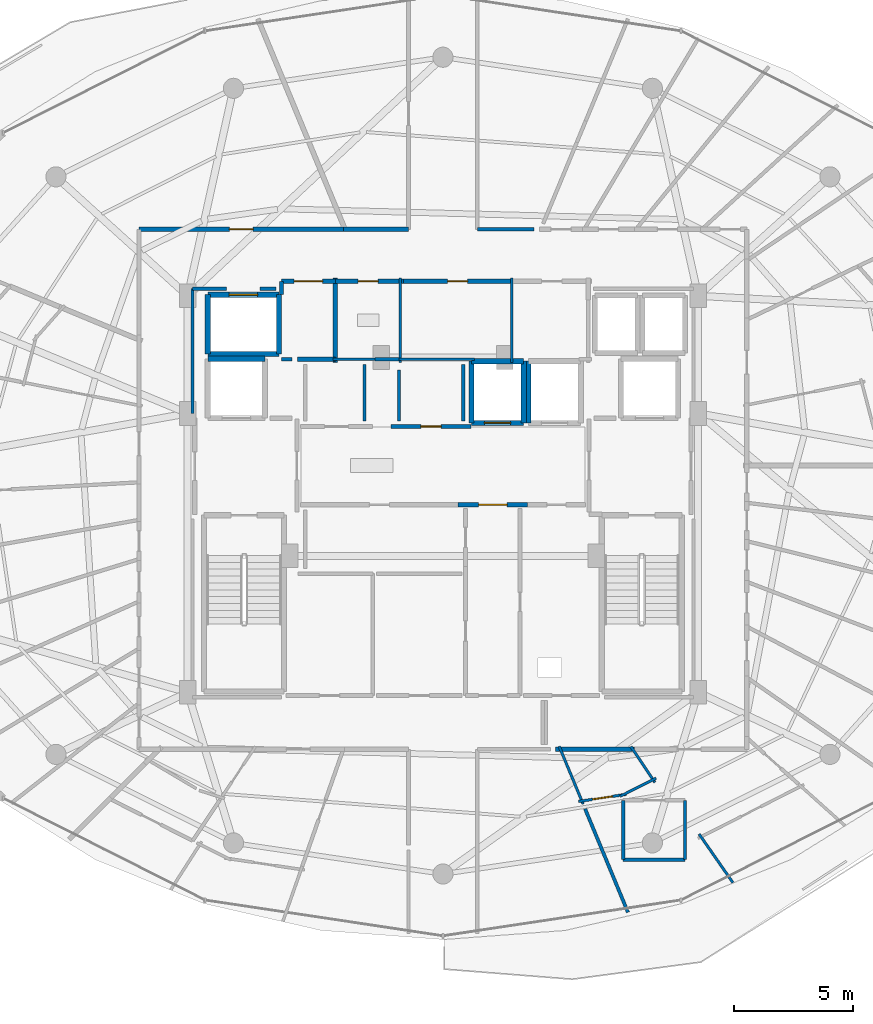
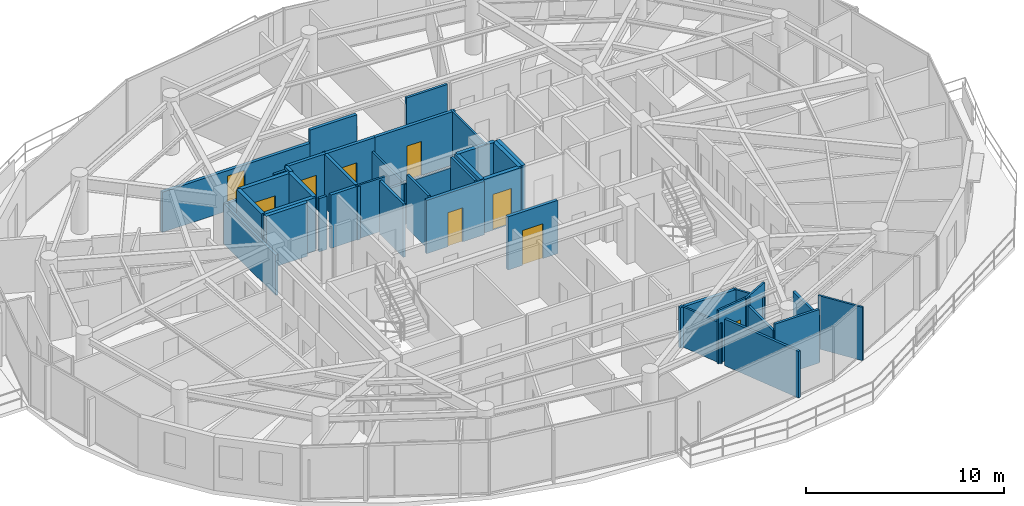
# One storey, part 22 of 29: 43 walls, 9 doors, 9 openings.
"""IFC4 building model written with IfcOpenShell, lengths in metres."""

from ifc_helpers import new_model, si_unit, direction, frame, frame_2d, origin, place, context, subcontext, project, spatial, rectangle, extrude, material, layer, layer_set, type_object, element, fill, save


model = new_model("IFC4")

# Units and contexts
model_context = context("Model", 3, precision=1e-05, world=origin(), true_north=direction((0.0, 1.0)))
body_context = subcontext(model_context, "Body", "Model", "MODEL_VIEW")
ifc_project = project(units=[si_unit("LENGTHUNIT", "METRE"), si_unit("AREAUNIT", "SQUARE_METRE"), si_unit("VOLUMEUNIT", "CUBIC_METRE"), si_unit("PLANEANGLEUNIT", "RADIAN"), si_unit("MASSUNIT", "GRAM", prefix="KILO")], contexts=[model_context])

# Site, building, storey
site_placement = place(None, origin())
site = spatial("IfcSite", under=ifc_project, at=site_placement, CompositionType="ELEMENT")
building_placement = place(site_placement, origin())
building = spatial("IfcBuilding", under=site, at=building_placement, Name="Vorneva Point Tower", CompositionType="ELEMENT")
storey_placement = place(building_placement, frame((0.0, 0.0, 259.10009765625)))
storey = spatial("IfcBuildingStorey", under=building, at=storey_placement, Name="L70", CompositionType="ELEMENT", Elevation=259.10009765625)

# Walls
ifc_material_1 = material(Name="Concrete B60 (C50/60)", Category="concrete")
ifc_layer_1 = layer(ifc_material_1, 0.35009765625)
ifc_layer_set_1 = layer_set([ifc_layer_1], Name="Concrete B60 (C50/60)")
wall_type_1 = type_object("IfcWallType", Name="WL-CORE-350", PredefinedType="SHEAR", material=ifc_layer_set_1)
wall_1_placement = place(storey_placement, frame((30.5, 30.5, 0.0), z_axis=(0.0, 0.0, 1.0), x_axis=(-1.0, 0.0, 0.0)))
element("IfcWall", 1, at=wall_1_placement, inside=storey, type_object=wall_type_1, Name="L70 Lift FFL1 Shaft Wall +Y", PredefinedType="SHEAR", context=body_context, shape_type="SweptSolid", body=[
    extrude(rectangle(XDim=2.39990234375, YDim=0.219970703125, at=frame_2d((1.199951171875, 0.0))), origin(), (0.0, 0.0, 1.0), 3.289794921875),
])
ifc_material_2 = material(Name="Fire-rated acoustic gypsum stud partition", Category="gypsum")
ifc_layer_2 = layer(ifc_material_2, 0.110107421875)
ifc_layer_set_2 = layer_set([ifc_layer_2], Name="Fire-rated acoustic gypsum stud partition")
wall_type_2 = type_object("IfcWallType", Name="WL-PART-110", PredefinedType="PARTITIONING", material=ifc_layer_set_2)
wall_2_placement = place(storey_placement, frame((36.199951171875, 30.340087890625, 0.0), z_axis=(0.0, 0.0, 1.0), x_axis=(0.0, 1.0, 0.0)))
element("IfcWall", 2, at=wall_2_placement, inside=storey, type_object=wall_type_2, Name="L70 Interior Partition 020", PredefinedType="PARTITIONING", context=body_context, shape_type="SweptSolid", body=[
    extrude(rectangle(XDim=3.559814453125, YDim=0.110107421875, at=frame_2d((1.77978515625, 0.0))), origin(), (0.0, 0.0, 1.0), 2.48193359375),
])
wall_3_placement = place(storey_placement, frame((33.360107421875, 30.47998046875, 0.0), z_axis=(0.0, 0.0, 1.0), x_axis=(1.0, 0.0, 0.0)))
element("IfcWall", 3, at=wall_3_placement, inside=storey, type_object=wall_type_2, Name="L70 Interior Partition 021", PredefinedType="PARTITIONING", context=body_context, shape_type="SweptSolid", body=[
    extrude(rectangle(XDim=1.809814453125, YDim=0.110107421875, at=frame_2d((0.90478515625, 0.0))), origin(), (0.0, 0.0, 1.0), 3.289794921875),
])
wall_4_placement = place(storey_placement, frame((40.89990234375, 30.340087890625, 0.0), z_axis=(0.0, 0.0, 1.0), x_axis=(0.0, 1.0, 0.0)))
element("IfcWall", 4, at=wall_4_placement, inside=storey, type_object=wall_type_2, Name="L70 Interior Partition 023", PredefinedType="PARTITIONING", context=body_context, shape_type="SweptSolid", body=[
    extrude(rectangle(XDim=3.559814453125, YDim=0.110107421875, at=frame_2d((1.77978515625, 0.0))), origin(), (0.0, 0.0, 1.0), 3.289794921875),
])
wall_5_placement = place(storey_placement, frame((36.110107421875, 30.47998046875, 0.0), z_axis=(0.0, 0.0, 1.0), x_axis=(1.0, 0.0, 0.0)))
element("IfcWall", 5, at=wall_5_placement, inside=storey, type_object=wall_type_2, Name="L70 Interior Partition 024", PredefinedType="PARTITIONING", context=body_context, shape_type="SweptSolid", body=[
    extrude(rectangle(XDim=3.2099609375, YDim=0.110107421875, at=frame_2d((1.60498046875, 0.0))), origin(), (0.0, 0.0, 1.0), 2.48193359375),
])
wall_6_placement = place(storey_placement, frame((45.918212890625, 14.16650390625, 0.0), z_axis=(0.0, 0.0, 1.0), x_axis=(0.555785343288, -0.831325839961, 0.0)))
element("IfcWall", 6, at=wall_6_placement, inside=storey, type_object=wall_type_2, Name="L70 Interior Partition 105", PredefinedType="PARTITIONING", context=body_context, shape_type="SweptSolid", body=[
    extrude(rectangle(XDim=1.81640625, YDim=0.110107421875, at=frame_2d((0.908203125, 0.0))), origin(), (0.0, 0.0, 1.0), 2.48193359375),
])
wall_7_placement = place(storey_placement, frame((46.97509765625, 12.836181640625, 0.0), z_axis=(0.0, 0.0, 1.0), x_axis=(-0.892715322691, -0.450621074332, 0.0)))
element("IfcWall", 7, at=wall_7_placement, inside=storey, type_object=wall_type_2, Name="L70 Interior Partition 106", PredefinedType="PARTITIONING", context=body_context, shape_type="SweptSolid", body=[
    extrude(rectangle(XDim=1.689208984375, YDim=0.110107421875, at=frame_2d((0.8447265625, 0.0))), origin(), (0.0, 0.0, 1.0), 3.289794921875),
])

# Wall, opening, door
wall_8_placement = place(storey_placement, frame((45.73046875, 12.15869140625, 0.0), z_axis=(0.0, 0.0, 1.0), x_axis=(-0.98887923552, -0.148720736812, 0.0)))
wall_8 = element("IfcWall", 8, at=wall_8_placement, inside=storey, type_object=wall_type_2, Name="L70 Interior Partition 107", PredefinedType="PARTITIONING", context=body_context, shape_type="SweptSolid", body=[
    extrude(rectangle(XDim=2.04052734375, YDim=0.110107421875, at=frame_2d((1.020263671875, 0.0))), origin(), (0.0, 0.0, 1.0), 3.289794921875),
])
opening_1_placement = place(wall_8_placement, frame((0.59521484375, 0.0, 0.0)))
opening_1 = element("IfcOpeningElement", 9, at=opening_1_placement, cuts=wall_8, Name="Opening ID-02", PredefinedType="OPENING", context=body_context, shape_type="SweptSolid", body=[
    extrude(rectangle(XDim=0.85009765625, YDim=2.10009765625, at=frame_2d((0.425048828125, 1.050048828125))), frame((0.0, 0.06982421875, 0.0), z_axis=(0.0, -1.0, 0.0), x_axis=(1.0, 0.0, 0.0)), (0.0, 0.0, 1.0), 0.139892578125),
])
ifc_material_3 = material(Name="Engineered oak fire-rated door leaf", Category="wood")
door_type_1 = type_object("IfcDoorType", Name="DR-BATH-850", OperationType="NOTDEFINED", PredefinedType="DOOR", material=ifc_material_3)
door_1_placement = place(opening_1_placement, origin())
door_1 = element("IfcDoor", 10, at=door_1_placement, inside=storey, type_object=door_type_1, Name="L70 Door Living and Dining Room L70-03 / Bathroom L70-03", OperationType="SINGLE_SWING_LEFT", OverallHeight=2.10009765625, OverallWidth=0.85009765625, PredefinedType="DOOR", context=body_context, shape_type="SweptSolid", body=[
    extrude(rectangle(XDim=0.85009765625, YDim=2.10009765625, at=frame_2d((0.425048828125, 1.050048828125))), frame((0.0, 0.02490234375, 0.0), z_axis=(0.0, -1.0, 0.0), x_axis=(1.0, 0.0, 0.0)), (0.0, 0.0, 1.0), 0.050048828125),
])
fill(opening_1, door_1)

# Walls
wall_9_placement = place(storey_placement, frame((43.904541015625, 11.74658203125, 0.0), z_axis=(0.0, 0.0, 1.0), x_axis=(-0.38282398209, 0.923821302383, 0.0)))
element("IfcWall", 11, at=wall_9_placement, inside=storey, type_object=wall_type_2, Name="L70 Interior Partition 108", PredefinedType="PARTITIONING", context=body_context, shape_type="SweptSolid", body=[
    extrude(rectangle(XDim=2.63330078125, YDim=0.110107421875, at=frame_2d((1.316650390625, 0.0))), origin(), (0.0, 0.0, 1.0), 2.48193359375),
])
wall_10_placement = place(storey_placement, frame((50.212890625, 8.43603515625, 0.0), z_axis=(0.0, 0.0, 1.0), x_axis=(-0.571041537148, 0.820921167258, 0.0)))
element("IfcWall", 12, at=wall_10_placement, inside=storey, type_object=wall_type_2, Name="L70 Interior Partition 111", PredefinedType="PARTITIONING", context=body_context, shape_type="SweptSolid", body=[
    extrude(rectangle(XDim=2.493408203125, YDim=0.110107421875, at=frame_2d((1.24658203125, 0.0))), origin(), (0.0, 0.0, 1.0), 3.289794921875),
])
ifc_layer_3 = layer(ifc_material_2, 0.139892578125)
ifc_layer_set_3 = layer_set([ifc_layer_3], Name="Fire-rated acoustic gypsum stud partition")
wall_type_3 = type_object("IfcWallType", Name="WL-PART-140", PredefinedType="PARTITIONING", material=ifc_layer_set_3)
wall_11_placement = place(storey_placement, frame((45.593994140625, 11.902099609375, 0.0), z_axis=(0.0, 0.0, 1.0), x_axis=(0.0, -1.0, 0.0)))
element("IfcWall", 13, at=wall_11_placement, inside=storey, type_object=wall_type_3, Name="L70 Interior Partition 113", PredefinedType="PARTITIONING", context=body_context, shape_type="SweptSolid", body=[
    extrude(rectangle(XDim=2.5, YDim=0.139892578125, at=frame_2d((1.25, 0.0))), origin(), (0.0, 0.0, 1.0), 2.8740234375),
])
wall_12_placement = place(storey_placement, frame((45.593994140625, 9.402099609375, 0.0), z_axis=(0.0, 0.0, 1.0), x_axis=(1.0, 0.0, 0.0)))
element("IfcWall", 14, at=wall_12_placement, inside=storey, type_object=wall_type_3, Name="L70 Interior Partition 114", PredefinedType="PARTITIONING", context=body_context, shape_type="SweptSolid", body=[
    extrude(rectangle(XDim=2.60009765625, YDim=0.139892578125, at=frame_2d((1.300048828125, 0.0))), origin(), (0.0, 0.0, 1.0), 3.289794921875),
])
wall_13_placement = place(storey_placement, frame((48.194091796875, 9.402099609375, 0.0), z_axis=(0.0, 0.0, 1.0), x_axis=(0.0, 1.0, 0.0)))
element("IfcWall", 15, at=wall_13_placement, inside=storey, type_object=wall_type_3, Name="L70 Interior Partition 115", PredefinedType="PARTITIONING", context=body_context, shape_type="SweptSolid", body=[
    extrude(rectangle(XDim=2.5, YDim=0.139892578125, at=frame_2d((1.25, 0.0))), origin(), (0.0, 0.0, 1.0), 2.8740234375),
])
wall_14_placement = place(storey_placement, frame((31.199951171875, 30.47998046875, 0.0), z_axis=(0.0, 0.0, 1.0), x_axis=(1.0, 0.0, 0.0)))
element("IfcWall", 16, at=wall_14_placement, inside=storey, type_object=wall_type_3, Name="L70 Interior Closure Partition 143", PredefinedType="PARTITIONING", context=body_context, shape_type="SweptSolid", body=[
    extrude(rectangle(XDim=0.449951171875, YDim=0.139892578125, at=frame_2d((0.22509765625, 0.0))), origin(), (0.0, 0.0, 1.0), 3.289794921875),
])
wall_15_placement = place(storey_placement, frame((35.139892578125, 30.47998046875, 0.0), z_axis=(0.0, 0.0, 1.0), x_axis=(1.0, 0.0, 0.0)))
element("IfcWall", 17, at=wall_15_placement, inside=storey, type_object=wall_type_3, Name="L70 Interior Closure Partition 144", PredefinedType="PARTITIONING", context=body_context, shape_type="SweptSolid", body=[
    extrude(rectangle(XDim=1.0, YDim=0.139892578125, at=frame_2d((0.5, 0.0))), origin(), (0.0, 0.0, 1.0), 2.48193359375),
])
wall_16_placement = place(storey_placement, frame((34.699951171875, 27.8701171875, 0.0), z_axis=(0.0, 0.0, 1.0), x_axis=(0.0, 1.0, 0.0)))
element("IfcWall", 18, at=wall_16_placement, inside=storey, type_object=wall_type_3, Name="L70 Interior Closure Partition 148", PredefinedType="PARTITIONING", context=body_context, shape_type="SweptSolid", body=[
    extrude(rectangle(XDim=2.389892578125, YDim=0.139892578125, at=frame_2d((1.19482421875, 0.0))), origin(), (0.0, 0.0, 1.0), 3.289794921875),
])
wall_17_placement = place(storey_placement, frame((36.14990234375, 30.030029296875, 0.0), z_axis=(0.0, 0.0, 1.0), x_axis=(0.0, -1.0, 0.0)))
element("IfcWall", 19, at=wall_17_placement, inside=storey, type_object=wall_type_3, Name="L70 Interior Closure Partition 149", PredefinedType="PARTITIONING", context=body_context, shape_type="SweptSolid", body=[
    extrude(rectangle(XDim=2.159912109375, YDim=0.139892578125, at=frame_2d((1.080078125, 0.0))), origin(), (0.0, 0.0, 1.0), 3.289794921875),
])
wall_18_placement = place(storey_placement, frame((38.85009765625, 27.8701171875, 0.0), z_axis=(0.0, 0.0, 1.0), x_axis=(0.0, 1.0, 0.0)))
element("IfcWall", 20, at=wall_18_placement, inside=storey, type_object=wall_type_3, Name="L70 Interior Closure Partition 150", PredefinedType="PARTITIONING", context=body_context, shape_type="SweptSolid", body=[
    extrude(rectangle(XDim=2.389892578125, YDim=0.139892578125, at=frame_2d((1.19482421875, 0.0))), origin(), (0.0, 0.0, 1.0), 3.289794921875),
])
wall_19_placement = place(storey_placement, frame((41.841064453125, 35.949951171875, 0.0), z_axis=(0.0, 0.0, 1.0), x_axis=(-1.0, 0.0, 0.0)))
element("IfcWall", 21, at=wall_19_placement, inside=storey, type_object=wall_type_3, Name="L70 Interior Closure Partition 155", PredefinedType="PARTITIONING", context=body_context, shape_type="SweptSolid", body=[
    extrude(rectangle(XDim=2.39111328125, YDim=0.139892578125, at=frame_2d((1.195556640625, 0.0))), origin(), (0.0, 0.0, 1.0), 3.289794921875),
])
wall_20_placement = place(storey_placement, frame((30.97998046875, 33.449951171875, 0.0), z_axis=(0.0, 0.0, 1.0), x_axis=(-1.0, 0.0, 0.0)))
element("IfcWall", 22, at=wall_20_placement, inside=storey, type_object=wall_type_3, Name="L70 Interior Closure Partition 162", PredefinedType="PARTITIONING", context=body_context, shape_type="SweptSolid", body=[
    extrude(rectangle(XDim=0.674072265625, YDim=0.139892578125, at=frame_2d((0.3369140625, 0.0))), origin(), (0.0, 0.0, 1.0), 3.289794921875),
])
wall_21_placement = place(storey_placement, frame((28.89404296875, 33.449951171875, 0.0), z_axis=(0.0, 0.0, 1.0), x_axis=(-1.0, 0.0, 0.0)))
element("IfcWall", 23, at=wall_21_placement, inside=storey, type_object=wall_type_3, Name="L70 Interior Closure Partition 163", PredefinedType="PARTITIONING", context=body_context, shape_type="SweptSolid", body=[
    extrude(rectangle(XDim=1.444091796875, YDim=0.139892578125, at=frame_2d((0.72216796875, 0.0))), origin(), (0.0, 0.0, 1.0), 2.48193359375),
])
wall_22_placement = place(storey_placement, frame((27.449951171875, 33.449951171875, 0.0), z_axis=(0.0, 0.0, 1.0), x_axis=(0.0, -1.0, 0.0)))
element("IfcWall", 24, at=wall_22_placement, inside=storey, type_object=wall_type_3, Name="L70 Interior Closure Partition 164", PredefinedType="PARTITIONING", context=body_context, shape_type="SweptSolid", body=[
    extrude(rectangle(XDim=5.25390625, YDim=0.139892578125, at=frame_2d((2.626953125, 0.0))), origin(), (0.0, 0.0, 1.0), 2.48193359375),
])
wall_23_placement = place(storey_placement, frame((43.988037109375, 11.54296875, 0.0), z_axis=(0.0, 0.0, 1.0), x_axis=(0.382798409849, -0.923831898895, 0.0)))
element("IfcWall", 25, at=wall_23_placement, inside=storey, type_object=wall_type_3, Name="L70 Interior Closure Partition 168", PredefinedType="PARTITIONING", context=body_context, shape_type="SweptSolid", body=[
    extrude(rectangle(XDim=4.715087890625, YDim=0.139892578125, at=frame_2d((2.357421875, 0.0))), origin(), (0.0, 0.0, 1.0), 2.8740234375),
])
ifc_material_4 = material(Name="Autoclaved aerated concrete blockwork", Category="masonry")
ifc_layer_4 = layer(ifc_material_4, 0.179931640625)
ifc_layer_set_4 = layer_set([ifc_layer_4], Name="Autoclaved aerated concrete blockwork")
wall_type_4 = type_object("IfcWallType", Name="WL-PART-180", PredefinedType="PARTITIONING", material=ifc_layer_set_4)
wall_24_placement = place(storey_placement, frame((33.469970703125, 30.340087890625, 0.0), z_axis=(0.0, 0.0, 1.0), x_axis=(0.0, 1.0, 0.0)))
element("IfcWall", 26, at=wall_24_placement, inside=storey, type_object=wall_type_4, Name="L70 Interior Partition 006", PredefinedType="PARTITIONING", context=body_context, shape_type="SweptSolid", body=[
    extrude(rectangle(XDim=3.559814453125, YDim=0.179931640625, at=frame_2d((1.77978515625, 0.0))), origin(), (0.0, 0.0, 1.0), 3.289794921875),
])
wall_25_placement = place(storey_placement, frame((31.8701171875, 30.47998046875, 0.0), z_axis=(0.0, 0.0, 1.0), x_axis=(1.0, 0.0, 0.0)))
element("IfcWall", 27, at=wall_25_placement, inside=storey, type_object=wall_type_4, Name="L70 Interior Partition 007", PredefinedType="PARTITIONING", context=body_context, shape_type="SweptSolid", body=[
    extrude(rectangle(XDim=1.599853515625, YDim=0.179931640625, at=frame_2d((0.7998046875, 0.0))), origin(), (0.0, 0.0, 1.0), 3.289794921875),
])

# Wall, opening, door
wall_26_placement = place(storey_placement, frame((33.469970703125, 33.760009765625, 0.0), z_axis=(0.0, 0.0, 1.0), x_axis=(-1.0, 0.0, 0.0)))
wall_26 = element("IfcWall", 28, at=wall_26_placement, inside=storey, type_object=wall_type_4, Name="L70 Interior Partition 008", PredefinedType="PARTITIONING", context=body_context, shape_type="SweptSolid", body=[
    extrude(rectangle(XDim=2.27001953125, YDim=0.179931640625, at=frame_2d((1.135009765625, 0.0))), origin(), (0.0, 0.0, 1.0), 3.289794921875),
])
opening_2_placement = place(wall_26_placement, frame((0.534912109375, 0.0, 0.0)))
opening_2 = element("IfcOpeningElement", 29, at=opening_2_placement, cuts=wall_26, Name="Opening FD-02", PredefinedType="OPENING", context=body_context, shape_type="SweptSolid", body=[
    extrude(rectangle(XDim=1.199951171875, YDim=2.14990234375, at=frame_2d((0.60009765625, 1.074951171875))), frame((0.0, 0.10498046875, 0.0), z_axis=(0.0, -1.0, 0.0), x_axis=(1.0, 0.0, 0.0)), (0.0, 0.0, 1.0), 0.209716796875),
])
ifc_material_5 = material(Name="Fire-rated powder-coated steel", Category="steel")
door_type_2 = type_object("IfcDoorType", Name="DR-FFL-1200", OperationType="NOTDEFINED", PredefinedType="DOOR", material=ifc_material_5)
door_2_placement = place(opening_2_placement, origin())
door_2 = element("IfcDoor", 30, at=door_2_placement, inside=storey, type_object=door_type_2, Name="L70 Door Service Lift Lobby / L70 Circulation Corridor", OperationType="SINGLE_SWING_LEFT", OverallHeight=2.14990234375, OverallWidth=1.199951171875, PredefinedType="DOOR", context=body_context, shape_type="SweptSolid", body=[
    extrude(rectangle(XDim=1.199951171875, YDim=2.14990234375, at=frame_2d((0.60009765625, 1.074951171875))), frame((0.0, 0.02490234375, 0.0), z_axis=(0.0, -1.0, 0.0), x_axis=(1.0, 0.0, 0.0)), (0.0, 0.0, 1.0), 0.050048828125),
])
fill(opening_2, door_2)

# Wall
wall_27_placement = place(storey_placement, frame((31.199951171875, 33.760009765625, 0.0), z_axis=(0.0, 0.0, 1.0), x_axis=(0.0, -1.0, 0.0)))
element("IfcWall", 31, at=wall_27_placement, inside=storey, type_object=wall_type_4, Name="L70 Interior Partition 009", PredefinedType="PARTITIONING", context=body_context, shape_type="SweptSolid", body=[
    extrude(rectangle(XDim=0.56005859375, YDim=0.179931640625, at=frame_2d((0.280029296875, 0.0))), origin(), (0.0, 0.0, 1.0), 3.289794921875),
])

# Wall, opening, door
wall_28_placement = place(storey_placement, frame((38.64501953125, 24.35009765625, 0.0), z_axis=(0.0, 0.0, 1.0), x_axis=(1.0, 0.0, 0.0)))
wall_28 = element("IfcWall", 32, at=wall_28_placement, inside=storey, type_object=wall_type_4, Name="L70 Interior Partition 010", PredefinedType="PARTITIONING", context=body_context, shape_type="SweptSolid", body=[
    extrude(rectangle(XDim=2.909912109375, YDim=0.179931640625, at=frame_2d((1.455078125, 0.0))), origin(), (0.0, 0.0, 1.0), 3.289794921875),
])
opening_3_placement = place(wall_28_placement, frame((0.85498046875, 0.0, 0.0)))
opening_3 = element("IfcOpeningElement", 33, at=opening_3_placement, cuts=wall_28, Name="Opening FD-02", PredefinedType="OPENING", context=body_context, shape_type="SweptSolid", body=[
    extrude(rectangle(XDim=1.199951171875, YDim=2.14990234375, at=frame_2d((0.60009765625, 1.074951171875))), frame((0.0, 0.10498046875, 0.0), z_axis=(0.0, -1.0, 0.0), x_axis=(1.0, 0.0, 0.0)), (0.0, 0.0, 1.0), 0.209716796875),
])
door_3_placement = place(opening_3_placement, origin())
door_3 = element("IfcDoor", 34, at=door_3_placement, inside=storey, type_object=door_type_2, Name="L70 Door Central Lift Lobby / Core Service Lobby", OperationType="SINGLE_SWING_RIGHT", OverallHeight=2.14990234375, OverallWidth=1.199951171875, PredefinedType="DOOR", context=body_context, shape_type="SweptSolid", body=[
    extrude(rectangle(XDim=1.199951171875, YDim=2.14990234375, at=frame_2d((0.60009765625, 1.074951171875))), frame((0.0, 0.02490234375, 0.0), z_axis=(0.0, -1.0, 0.0), x_axis=(1.0, 0.0, 0.0)), (0.0, 0.0, 1.0), 0.050048828125),
])
fill(opening_3, door_3)

wall_29_placement = place(storey_placement, frame((39.18994140625, 27.64990234375, 0.0), z_axis=(0.0, 0.0, 1.0), x_axis=(-1.0, 0.0, 0.0)))
wall_29 = element("IfcWall", 35, at=wall_29_placement, inside=storey, type_object=wall_type_4, Name="L70 Interior Partition 013", PredefinedType="PARTITIONING", context=body_context, shape_type="SweptSolid", body=[
    extrude(rectangle(XDim=3.3798828125, YDim=0.179931640625, at=frame_2d((1.68994140625, 0.0))), origin(), (0.0, 0.0, 1.0), 3.289794921875),
])
opening_4_placement = place(wall_29_placement, frame((1.264892578125, 0.0, 0.0)))
opening_4 = element("IfcOpeningElement", 36, at=opening_4_placement, cuts=wall_29, Name="Opening ID-02", PredefinedType="OPENING", context=body_context, shape_type="SweptSolid", body=[
    extrude(rectangle(XDim=0.85009765625, YDim=2.10009765625, at=frame_2d((0.425048828125, 1.050048828125))), frame((0.0, 0.10498046875, 0.0), z_axis=(0.0, -1.0, 0.0), x_axis=(1.0, 0.0, 0.0)), (0.0, 0.0, 1.0), 0.209716796875),
])
door_4_placement = place(opening_4_placement, origin())
door_4 = element("IfcDoor", 37, at=door_4_placement, inside=storey, type_object=door_type_1, Name="L70 Door Central Lift Lobby / Reclaimed Core Archive Store", OperationType="SINGLE_SWING_LEFT", OverallHeight=2.10009765625, OverallWidth=0.85009765625, PredefinedType="DOOR", context=body_context, shape_type="SweptSolid", body=[
    extrude(rectangle(XDim=0.85009765625, YDim=2.10009765625, at=frame_2d((0.425048828125, 1.050048828125))), frame((0.0, 0.02490234375, 0.0), z_axis=(0.0, -1.0, 0.0), x_axis=(1.0, 0.0, 0.0)), (0.0, 0.0, 1.0), 0.050048828125),
])
fill(opening_4, door_4)

wall_30_placement = place(storey_placement, frame((36.340087890625, 33.760009765625, 0.0), z_axis=(0.0, 0.0, 1.0), x_axis=(-1.0, 0.0, 0.0)))
wall_30 = element("IfcWall", 38, at=wall_30_placement, inside=storey, type_object=wall_type_4, Name="L70 Interior Partition 022", PredefinedType="PARTITIONING", context=body_context, shape_type="SweptSolid", body=[
    extrude(rectangle(XDim=2.97998046875, YDim=0.179931640625, at=frame_2d((1.489990234375, 0.0))), origin(), (0.0, 0.0, 1.0), 3.289794921875),
])
opening_5_placement = place(wall_30_placement, frame((1.06494140625, 0.0, 0.0)))
opening_5 = element("IfcOpeningElement", 39, at=opening_5_placement, cuts=wall_30, Name="Opening ID-02", PredefinedType="OPENING", context=body_context, shape_type="SweptSolid", body=[
    extrude(rectangle(XDim=0.85009765625, YDim=2.10009765625, at=frame_2d((0.425048828125, 1.050048828125))), frame((0.0, 0.10498046875, 0.0), z_axis=(0.0, -1.0, 0.0), x_axis=(1.0, 0.0, 0.0)), (0.0, 0.0, 1.0), 0.209716796875),
])
door_5_placement = place(opening_5_placement, origin())
door_5 = element("IfcDoor", 40, at=door_5_placement, inside=storey, type_object=door_type_1, Name="L70 Door Public Male WC / L70 Circulation Corridor", OperationType="SINGLE_SWING_RIGHT", OverallHeight=2.10009765625, OverallWidth=0.85009765625, PredefinedType="DOOR", context=body_context, shape_type="SweptSolid", body=[
    extrude(rectangle(XDim=0.85009765625, YDim=2.10009765625, at=frame_2d((0.425048828125, 1.050048828125))), frame((0.0, 0.02490234375, 0.0), z_axis=(0.0, -1.0, 0.0), x_axis=(1.0, 0.0, 0.0)), (0.0, 0.0, 1.0), 0.050048828125),
])
fill(opening_5, door_5)

wall_31_placement = place(storey_placement, frame((41.0400390625, 33.760009765625, 0.0), z_axis=(0.0, 0.0, 1.0), x_axis=(-1.0, 0.0, 0.0)))
wall_31 = element("IfcWall", 41, at=wall_31_placement, inside=storey, type_object=wall_type_4, Name="L70 Interior Partition 025", PredefinedType="PARTITIONING", context=body_context, shape_type="SweptSolid", body=[
    extrude(rectangle(XDim=4.840087890625, YDim=0.179931640625, at=frame_2d((2.419921875, 0.0))), origin(), (0.0, 0.0, 1.0), 3.289794921875),
])
opening_6_placement = place(wall_31_placement, frame((1.9951171875, 0.0, 0.0)))
opening_6 = element("IfcOpeningElement", 42, at=opening_6_placement, cuts=wall_31, Name="Opening ID-02", PredefinedType="OPENING", context=body_context, shape_type="SweptSolid", body=[
    extrude(rectangle(XDim=0.85009765625, YDim=2.10009765625, at=frame_2d((0.425048828125, 1.050048828125))), frame((0.0, 0.10498046875, 0.0), z_axis=(0.0, -1.0, 0.0), x_axis=(1.0, 0.0, 0.0)), (0.0, 0.0, 1.0), 0.209716796875),
])
door_6_placement = place(opening_6_placement, origin())
door_6 = element("IfcDoor", 43, at=door_6_placement, inside=storey, type_object=door_type_1, Name="L70 Door Public Female WC / L70 Circulation Corridor", OperationType="SINGLE_SWING_LEFT", OverallHeight=2.10009765625, OverallWidth=0.85009765625, PredefinedType="DOOR", context=body_context, shape_type="SweptSolid", body=[
    extrude(rectangle(XDim=0.85009765625, YDim=2.10009765625, at=frame_2d((0.425048828125, 1.050048828125))), frame((0.0, 0.02490234375, 0.0), z_axis=(0.0, -1.0, 0.0), x_axis=(1.0, 0.0, 0.0)), (0.0, 0.0, 1.0), 0.050048828125),
])
fill(opening_6, door_6)

# Walls
wall_32_placement = place(storey_placement, frame((42.75, 14.050048828125, 0.0), z_axis=(0.0, 0.0, 1.0), x_axis=(1.0, 0.0, 0.0)))
element("IfcWall", 44, at=wall_32_placement, inside=storey, type_object=wall_type_4, Name="L70 Interior Partition 048", PredefinedType="PARTITIONING", context=body_context, shape_type="SweptSolid", body=[
    extrude(rectangle(XDim=3.325927734375, YDim=0.179931640625, at=frame_2d((1.6630859375, 0.0))), origin(), (0.0, 0.0, 1.0), 2.48193359375),
])
wall_33_placement = place(storey_placement, frame((36.550048828125, 35.949951171875, 0.0), z_axis=(0.0, 0.0, 1.0), x_axis=(-1.0, 0.0, 0.0)))
element("IfcWall", 45, at=wall_33_placement, inside=storey, type_object=wall_type_4, Name="L70 Interior Partition 065", PredefinedType="PARTITIONING", context=body_context, shape_type="SweptSolid", body=[
    extrude(rectangle(XDim=2.736083984375, YDim=0.179931640625, at=frame_2d((1.3681640625, 0.0))), origin(), (0.0, 0.0, 1.0), 3.289794921875),
])

# Wall, opening, door
wall_34_placement = place(storey_placement, frame((33.81396484375, 35.949951171875, 0.0), z_axis=(0.0, 0.0, 1.0), x_axis=(-1.0, 0.0, 0.0)))
wall_34 = element("IfcWall", 46, at=wall_34_placement, inside=storey, type_object=wall_type_4, Name="L70 Interior Partition 066", PredefinedType="PARTITIONING", context=body_context, shape_type="SweptSolid", body=[
    extrude(rectangle(XDim=8.614013671875, YDim=0.179931640625, at=frame_2d((4.30712890625, 0.0))), origin(), (0.0, 0.0, 1.0), 2.48193359375),
])
opening_7_placement = place(wall_34_placement, frame((3.806884765625, 0.0, 0.0)))
opening_7 = element("IfcOpeningElement", 47, at=opening_7_placement, cuts=wall_34, Name="Opening UD-01", PredefinedType="OPENING", context=body_context, shape_type="SweptSolid", body=[
    extrude(rectangle(XDim=1.0, YDim=2.14990234375, at=frame_2d((0.5, 1.074951171875))), frame((0.0, 0.10498046875, 0.0), z_axis=(0.0, -1.0, 0.0), x_axis=(1.0, 0.0, 0.0)), (0.0, 0.0, 1.0), 0.209716796875),
])
door_type_3 = type_object("IfcDoorType", Name="DR-UNIT-1000", OperationType="NOTDEFINED", PredefinedType="DOOR", material=ifc_material_3)
door_7_placement = place(opening_7_placement, origin())
door_7 = element("IfcDoor", 48, at=door_7_placement, inside=storey, type_object=door_type_3, Name="L70 Door L70 Circulation Corridor / Residents Co-Working Office L70-06", OperationType="SINGLE_SWING_RIGHT", OverallHeight=2.14990234375, OverallWidth=1.0, PredefinedType="DOOR", context=body_context, shape_type="SweptSolid", body=[
    extrude(rectangle(XDim=1.0, YDim=2.14990234375, at=frame_2d((0.5, 1.074951171875))), frame((0.0, 0.02490234375, 0.0), z_axis=(0.0, -1.0, 0.0), x_axis=(1.0, 0.0, 0.0)), (0.0, 0.0, 1.0), 0.050048828125),
])
fill(opening_7, door_7)

ifc_material_6 = material(Name="Concrete B50 (C40/50)", Category="concrete")
ifc_layer_5 = layer(ifc_material_6, 0.219970703125)
ifc_layer_set_5 = layer_set([ifc_layer_5], Name="Concrete B50 (C40/50)")
wall_type_5 = type_object("IfcWallType", Name="WL-SHFT-220", PredefinedType="SOLIDWALL", material=ifc_layer_set_5)
wall_35_placement = place(storey_placement, frame((39.199951171875, 27.800048828125, 0.0), z_axis=(0.0, 0.0, 1.0), x_axis=(1.0, 0.0, 0.0)))
wall_35 = element("IfcWall", 49, at=wall_35_placement, inside=storey, type_object=wall_type_5, Name="L70 Lift PL7 Shaft Wall -Y", PredefinedType="SOLIDWALL", context=body_context, shape_type="SweptSolid", body=[
    extrude(rectangle(XDim=2.199951171875, YDim=0.219970703125, at=frame_2d((1.10009765625, 0.0))), origin(), (0.0, 0.0, 1.0), 3.289794921875),
])
opening_8_placement = place(wall_35_placement, frame((0.550048828125, 0.0, 0.0)))
opening_8 = element("IfcOpeningElement", 50, at=opening_8_placement, cuts=wall_35, Name="Opening LD-01", PredefinedType="OPENING", context=body_context, shape_type="SweptSolid", body=[
    extrude(rectangle(XDim=1.10009765625, YDim=2.199951171875, at=frame_2d((0.550048828125, 1.10009765625))), frame((0.0, 0.125, 0.0), z_axis=(0.0, -1.0, 0.0), x_axis=(1.0, 0.0, 0.0)), (0.0, 0.0, 1.0), 0.249755859375),
])
ifc_material_7 = material(Name="Brushed stainless steel S304", Category="steel")
door_type_4 = type_object("IfcDoorType", Name="LD-PASS-1100", OperationType="SLIDING_TO_LEFT", PredefinedType="DOOR", material=ifc_material_7)
door_8_placement = place(opening_8_placement, origin())
door_8 = element("IfcDoor", 51, at=door_8_placement, inside=storey, type_object=door_type_4, Name="L70 Lift PL7 Sliding Landing Door", OperationType="SLIDING_TO_LEFT", OverallHeight=2.199951171875, OverallWidth=1.10009765625, PredefinedType="DOOR", context=body_context, shape_type="SweptSolid", body=[
    extrude(rectangle(XDim=1.10009765625, YDim=2.199951171875, at=frame_2d((0.550048828125, 1.10009765625))), frame((0.0, 0.02490234375, 0.0), z_axis=(0.0, -1.0, 0.0), x_axis=(1.0, 0.0, 0.0)), (0.0, 0.0, 1.0), 0.050048828125),
])
fill(opening_8, door_8)

# Walls
wall_36_placement = place(storey_placement, frame((41.39990234375, 27.800048828125, 0.0), z_axis=(0.0, 0.0, 1.0), x_axis=(0.0, 1.0, 0.0)))
element("IfcWall", 52, at=wall_36_placement, inside=storey, type_object=wall_type_5, Name="L70 Lift PL7 Shaft Wall +X", PredefinedType="SOLIDWALL", context=body_context, shape_type="SweptSolid", body=[
    extrude(rectangle(XDim=2.599853515625, YDim=0.219970703125, at=frame_2d((1.2998046875, 0.0))), origin(), (0.0, 0.0, 1.0), 3.289794921875),
])
wall_37_placement = place(storey_placement, frame((41.39990234375, 30.39990234375, 0.0), z_axis=(0.0, 0.0, 1.0), x_axis=(-1.0, 0.0, 0.0)))
element("IfcWall", 53, at=wall_37_placement, inside=storey, type_object=wall_type_5, Name="L70 Lift PL7 Shaft Wall +Y", PredefinedType="SOLIDWALL", context=body_context, shape_type="SweptSolid", body=[
    extrude(rectangle(XDim=2.199951171875, YDim=0.219970703125, at=frame_2d((1.10009765625, 0.0))), origin(), (0.0, 0.0, 1.0), 3.289794921875),
])
for number, where, z_axis, x_axis, name in (
    (54, (39.199951171875, 30.39990234375, 0.0), (0.0, 0.0, 1.0), (0.0, -1.0, 0.0), "L70 Lift PL7 Shaft Wall -X"),
    (55, (41.60009765625, 30.39990234375, 0.0), (0.0, 0.0, 1.0), (0.0, -1.0, 0.0), "L70 Lift PL8 Shaft Wall -X"),
):
    element("IfcWall", number, at=place(storey_placement, frame(where, z_axis=z_axis, x_axis=x_axis)), inside=storey, type_object=wall_type_5, Name=name, PredefinedType="SOLIDWALL", context=body_context, shape_type="SweptSolid", body=[
        extrude(rectangle(XDim=2.599853515625, YDim=0.219970703125, at=frame_2d((1.2998046875, 0.0))), origin(), (0.0, 0.0, 1.0), 3.289794921875),
    ])
wall_38_placement = place(storey_placement, frame((28.10009765625, 30.699951171875, 0.0), z_axis=(0.0, 0.0, 1.0), x_axis=(1.0, 0.0, 0.0)))
element("IfcWall", 56, at=wall_38_placement, inside=storey, type_object=wall_type_5, Name="L70 Lift SVL1 Shaft Wall -Y", PredefinedType="SOLIDWALL", context=body_context, shape_type="SweptSolid", body=[
    extrude(rectangle(XDim=3.0, YDim=0.219970703125, at=frame_2d((1.5, 0.0))), origin(), (0.0, 0.0, 1.0), 3.289794921875),
])
wall_39_placement = place(storey_placement, frame((31.10009765625, 30.699951171875, 0.0), z_axis=(0.0, 0.0, 1.0), x_axis=(0.0, 1.0, 0.0)))
element("IfcWall", 57, at=wall_39_placement, inside=storey, type_object=wall_type_5, Name="L70 Lift SVL1 Shaft Wall +X", PredefinedType="SOLIDWALL", context=body_context, shape_type="SweptSolid", body=[
    extrude(rectangle(XDim=2.5, YDim=0.219970703125, at=frame_2d((1.25, 0.0))), origin(), (0.0, 0.0, 1.0), 3.289794921875),
])

# Wall, opening, door
wall_40_placement = place(storey_placement, frame((31.10009765625, 33.199951171875, 0.0), z_axis=(0.0, 0.0, 1.0), x_axis=(-1.0, 0.0, 0.0)))
wall_40 = element("IfcWall", 58, at=wall_40_placement, inside=storey, type_object=wall_type_5, Name="L70 Lift SVL1 Shaft Wall +Y", PredefinedType="SOLIDWALL", context=body_context, shape_type="SweptSolid", body=[
    extrude(rectangle(XDim=3.0, YDim=0.219970703125, at=frame_2d((1.5, 0.0))), origin(), (0.0, 0.0, 1.0), 3.289794921875),
])
opening_9_placement = place(wall_40_placement, frame((0.89990234375, 0.0, 0.0)))
opening_9 = element("IfcOpeningElement", 59, at=opening_9_placement, cuts=wall_40, Name="Opening LD-02", PredefinedType="OPENING", context=body_context, shape_type="SweptSolid", body=[
    extrude(rectangle(XDim=1.199951171875, YDim=2.199951171875, at=frame_2d((0.60009765625, 1.10009765625))), frame((0.0, 0.125, 0.0), z_axis=(0.0, -1.0, 0.0), x_axis=(1.0, 0.0, 0.0)), (0.0, 0.0, 1.0), 0.249755859375),
])
door_type_5 = type_object("IfcDoorType", Name="LD-FIRE-1200", OperationType="SLIDING_TO_LEFT", PredefinedType="DOOR", material=ifc_material_7)
door_9_placement = place(opening_9_placement, origin())
door_9 = element("IfcDoor", 60, at=door_9_placement, inside=storey, type_object=door_type_5, Name="L70 Lift SVL1 Sliding Landing Door", OperationType="SLIDING_TO_LEFT", OverallHeight=2.199951171875, OverallWidth=1.199951171875, PredefinedType="DOOR", context=body_context, shape_type="SweptSolid", body=[
    extrude(rectangle(XDim=1.199951171875, YDim=2.199951171875, at=frame_2d((0.60009765625, 1.10009765625))), frame((0.0, 0.02490234375, 0.0), z_axis=(0.0, -1.0, 0.0), x_axis=(1.0, 0.0, 0.0)), (0.0, 0.0, 1.0), 0.050048828125),
])
fill(opening_9, door_9)

# Wall
wall_41_placement = place(storey_placement, frame((28.10009765625, 33.199951171875, 0.0), z_axis=(0.0, 0.0, 1.0), x_axis=(0.0, -1.0, 0.0)))
element("IfcWall", 61, at=wall_41_placement, inside=storey, type_object=wall_type_5, Name="L70 Lift SVL1 Shaft Wall -X", PredefinedType="SOLIDWALL", context=body_context, shape_type="SweptSolid", body=[
    extrude(rectangle(XDim=2.5, YDim=0.219970703125, at=frame_2d((1.25, 0.0))), origin(), (0.0, 0.0, 1.0), 3.289794921875),
])

save(model, "model.ifc")
